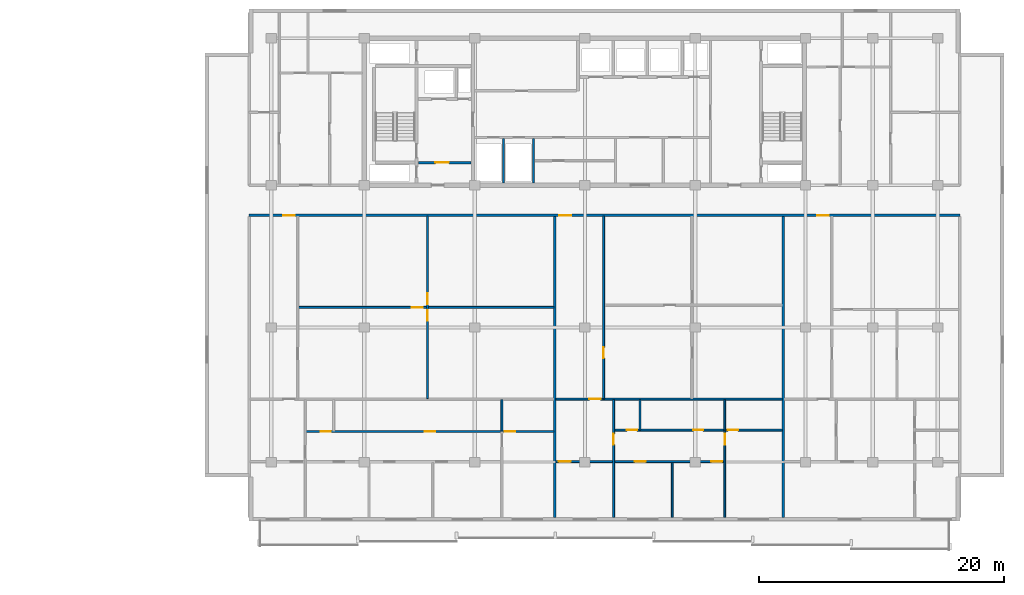
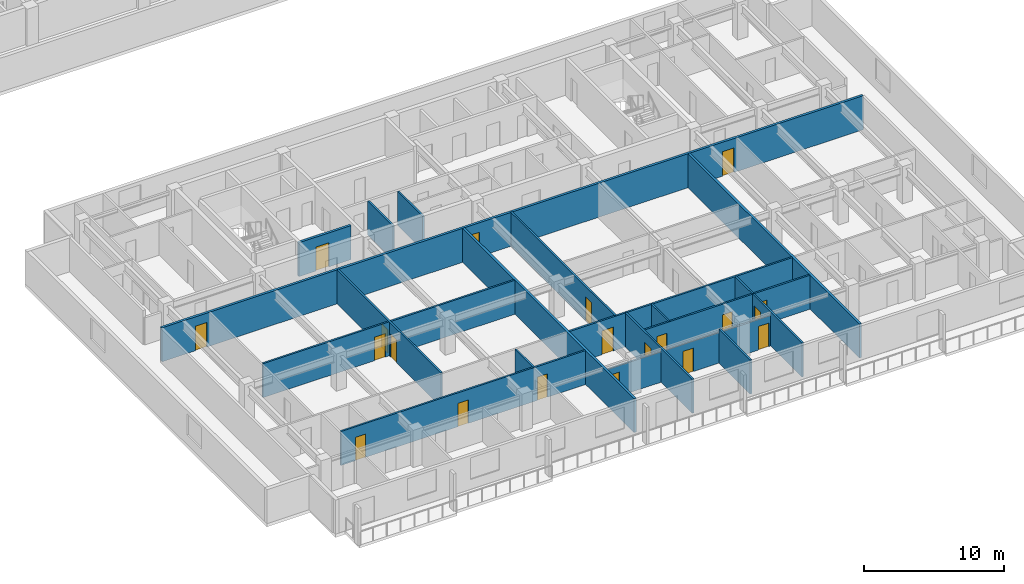
# One storey, part 5 of 22: 20 doors, 19 walls, 20 openings.
"""IFC4 building model written with IfcOpenShell, lengths in metres."""

from ifc_helpers import new_model, si_unit, direction, frame, frame_2d, origin, place, context, subcontext, project, spatial, rectangle, extrude, material, layer, layer_set, type_object, element, fill, save


model = new_model("IFC4")

# Units and contexts
model_context = context("Model", 3, precision=1e-05, world=origin(), true_north=direction((0.0, 1.0)))
body_context = subcontext(model_context, "Body", "Model", "MODEL_VIEW")
ifc_project = project(units=[si_unit("LENGTHUNIT", "METRE"), si_unit("AREAUNIT", "SQUARE_METRE"), si_unit("VOLUMEUNIT", "CUBIC_METRE"), si_unit("PLANEANGLEUNIT", "RADIAN"), si_unit("MASSUNIT", "GRAM", prefix="KILO")], contexts=[model_context])

# Site, building, storey
site_placement = place(None, origin())
site = spatial("IfcSite", under=ifc_project, at=site_placement, CompositionType="ELEMENT")
building_placement = place(site_placement, origin())
building = spatial("IfcBuilding", under=site, at=building_placement, Name="Korimba Cascade Residences", CompositionType="ELEMENT")
storey_placement = place(building_placement, frame((0.0, 0.0, 129.550048828125)))
storey = spatial("IfcBuildingStorey", under=building, at=storey_placement, Name="L37", CompositionType="ELEMENT", Elevation=129.550048828125)

# Walls
ifc_material_1 = material(Name="Precast concrete C40/50", Category="concrete")
ifc_layer_1 = layer(ifc_material_1, 0.199951171875)
ifc_layer_set_1 = layer_set([ifc_layer_1], Name="Precast concrete C40/50")
wall_type_1 = type_object("IfcWallType", Name="WAL-IT-200", PredefinedType="PARTITIONING", material=ifc_layer_set_1)
for number, where, z_axis, x_axis, name in (
    (1, (97.654541015625, -8.699951171875, 0.0), (0.0, 0.0, 1.0), (0.0, 1.0, 0.0), "L37 Partition Wall WAL-L37-T2-DEM-1"),
    (2, (116.286376953125, -8.699951171875, 0.0), (0.0, 0.0, 1.0), (0.0, 1.0, 0.0), "L37 Partition Wall WAL-L37-T2-DEM-2"),
):
    element("IfcWall", number, at=place(storey_placement, frame(where, z_axis=z_axis, x_axis=x_axis)), inside=storey, type_object=wall_type_1, Name=name, PredefinedType="PARTITIONING", context=body_context, shape_type="SweptSolid", body=[
        extrude(rectangle(XDim=24.570068359375, YDim=0.199951171875, at=frame_2d((12.28515625, 0.0))), origin(), (0.0, 0.0, 1.0), 2.969970703125),
    ])

# Wall, openings, doors
wall_1_placement = place(storey_placement, frame((72.699951171875, 15.949951171875, 0.0), z_axis=(0.0, 0.0, 1.0), x_axis=(1.0, 0.0, 0.0)))
wall_1 = element("IfcWall", 3, at=wall_1_placement, inside=storey, type_object=wall_type_1, Name="L37 Partition Wall WAL-L37-T2-CORS", PredefinedType="PARTITIONING", context=body_context, shape_type="SweptSolid", body=[
    extrude(rectangle(XDim=58.0, YDim=0.199951171875, at=frame_2d((29.0, 0.0))), origin(), (0.0, 0.0, 1.0), 2.969970703125),
])
opening_1_placement = place(wall_1_placement, frame((2.77001953125, 0.0, 0.0)))
opening_1 = element("IfcOpeningElement", 4, at=opening_1_placement, cuts=wall_1, Name="Opening D-UN1", PredefinedType="OPENING", context=body_context, shape_type="SweptSolid", body=[
    extrude(rectangle(XDim=0.949951171875, YDim=2.14990234375, at=frame_2d((0.47509765625, 1.074951171875))), frame((0.0, 0.10986328125, 0.0), z_axis=(0.0, -1.0, 0.0), x_axis=(1.0, 0.0, 0.0)), (0.0, 0.0, 1.0), 0.219970703125),
])
opening_2_placement = place(wall_1_placement, frame((25.324462890625, 0.0, 0.0)))
opening_2 = element("IfcOpeningElement", 5, at=opening_2_placement, cuts=wall_1, Name="Opening D-UN1", PredefinedType="OPENING", context=body_context, shape_type="SweptSolid", body=[
    extrude(rectangle(XDim=0.949951171875, YDim=2.14990234375, at=frame_2d((0.47509765625, 1.074951171875))), frame((0.0, 0.10986328125, 0.0), z_axis=(0.0, -1.0, 0.0), x_axis=(1.0, 0.0, 0.0)), (0.0, 0.0, 1.0), 0.219970703125),
])
opening_3_placement = place(wall_1_placement, frame((46.356201171875, 0.0, 0.0)))
opening_3 = element("IfcOpeningElement", 6, at=opening_3_placement, cuts=wall_1, Name="Opening D-UN1", PredefinedType="OPENING", context=body_context, shape_type="SweptSolid", body=[
    extrude(rectangle(XDim=0.949951171875, YDim=2.14990234375, at=frame_2d((0.47509765625, 1.074951171875))), frame((0.0, 0.10986328125, 0.0), z_axis=(0.0, -1.0, 0.0), x_axis=(1.0, 0.0, 0.0)), (0.0, 0.0, 1.0), 0.219970703125),
])
ifc_material_2 = material(Name="Fire-Rated Hardwood Apartment Entrance Door", Category="wood")
door_type_1 = type_object("IfcDoorType", Name="DR-FD60-950", OperationType="NOTDEFINED", PredefinedType="DOOR", material=ifc_material_2)
door_1_placement = place(opening_1_placement, origin())
door_1 = element("IfcDoor", 7, at=door_1_placement, inside=storey, type_object=door_type_1, Name="Unit L37-T2-U01 Entrance Door", OperationType="SINGLE_SWING_LEFT", OverallHeight=2.14990234375, OverallWidth=0.949951171875, PredefinedType="DOOR", context=body_context, shape_type="SweptSolid", body=[
    extrude(rectangle(XDim=0.949951171875, YDim=2.14990234375, at=frame_2d((0.47509765625, 1.074951171875))), frame((0.0, 0.02490234375, 0.0), z_axis=(0.0, -1.0, 0.0), x_axis=(1.0, 0.0, 0.0)), (0.0, 0.0, 1.0), 0.050048828125),
])
fill(opening_1, door_1)
door_2_placement = place(opening_2_placement, origin())
door_2 = element("IfcDoor", 8, at=door_2_placement, inside=storey, type_object=door_type_1, Name="Unit L37-T2-U02 Entrance Door", OperationType="SINGLE_SWING_RIGHT", OverallHeight=2.14990234375, OverallWidth=0.949951171875, PredefinedType="DOOR", context=body_context, shape_type="SweptSolid", body=[
    extrude(rectangle(XDim=0.949951171875, YDim=2.14990234375, at=frame_2d((0.47509765625, 1.074951171875))), frame((0.0, 0.02490234375, 0.0), z_axis=(0.0, -1.0, 0.0), x_axis=(1.0, 0.0, 0.0)), (0.0, 0.0, 1.0), 0.050048828125),
])
fill(opening_2, door_2)
door_3_placement = place(opening_3_placement, origin())
door_3 = element("IfcDoor", 9, at=door_3_placement, inside=storey, type_object=door_type_1, Name="Unit L37-T2-U03 Entrance Door", OperationType="SINGLE_SWING_LEFT", OverallHeight=2.14990234375, OverallWidth=0.949951171875, PredefinedType="DOOR", context=body_context, shape_type="SweptSolid", body=[
    extrude(rectangle(XDim=0.949951171875, YDim=2.14990234375, at=frame_2d((0.47509765625, 1.074951171875))), frame((0.0, 0.02490234375, 0.0), z_axis=(0.0, -1.0, 0.0), x_axis=(1.0, 0.0, 0.0)), (0.0, 0.0, 1.0), 0.050048828125),
])
fill(opening_3, door_3)

# Walls
ifc_material_3 = material(Name="Insulated Acoustic Stud Partition", Category="gypsum")
ifc_layer_2 = layer(ifc_material_3, 0.14990234375)
ifc_layer_set_2 = layer_set([ifc_layer_2], Name="Insulated Acoustic Stud Partition")
wall_type_2 = type_object("IfcWallType", Name="WAL-PART-150", PredefinedType="PARTITIONING", material=ifc_layer_set_2)
for number, where, z_axis, x_axis, name in (
    (10, (93.449951171875, 18.60009765625, 0.0), (0.0, 0.0, 1.0), (0.0, 1.0, 0.0), "L37 Partition Wall CW-L37-T2-ERDIV"),
    (11, (95.89990234375, 18.60009765625, 0.0), (0.0, 0.0, 1.0), (0.0, 1.0, 0.0), "L37 Partition Wall CW-L37-T2-PRDIV"),
):
    element("IfcWall", number, at=place(storey_placement, frame(where, z_axis=z_axis, x_axis=x_axis)), inside=storey, type_object=wall_type_2, Name=name, PredefinedType="PARTITIONING", context=body_context, shape_type="SweptSolid", body=[
        extrude(rectangle(XDim=3.599853515625, YDim=0.14990234375, at=frame_2d((1.7998046875, 0.0))), origin(), (0.0, 0.0, 1.0), 2.969970703125),
    ])

# Wall, openings, doors
wall_2_placement = place(storey_placement, frame((87.252197265625, 0.989990234375, 0.0), z_axis=(0.0, 0.0, 1.0), x_axis=(0.0, 1.0, 0.0)))
wall_2 = element("IfcWall", 12, at=wall_2_placement, inside=storey, type_object=wall_type_2, Name="L37 Partition Wall WAL-L37-T2-U01-FMV", PredefinedType="PARTITIONING", context=body_context, shape_type="SweptSolid", body=[
    extrude(rectangle(XDim=14.89990234375, YDim=0.14990234375, at=frame_2d((7.449951171875, 0.0))), origin(), (0.0, 0.0, 1.0), 2.969970703125),
])
opening_4_placement = place(wall_2_placement, frame((6.360107421875, 0.0, 0.0)))
opening_4 = element("IfcOpeningElement", 13, at=opening_4_placement, cuts=wall_2, Name="Opening D-BT1", PredefinedType="OPENING", context=body_context, shape_type="SweptSolid", body=[
    extrude(rectangle(XDim=0.840087890625, YDim=2.0400390625, at=frame_2d((0.419921875, 1.02001953125))), frame((0.0, 0.0849609375, 0.0), z_axis=(0.0, -1.0, 0.0), x_axis=(1.0, 0.0, 0.0)), (0.0, 0.0, 1.0), 0.169921875),
])
opening_5_placement = place(wall_2_placement, frame((7.699951171875, 0.0, 0.0)))
opening_5 = element("IfcOpeningElement", 14, at=opening_5_placement, cuts=wall_2, Name="Opening D-IN2", PredefinedType="OPENING", context=body_context, shape_type="SweptSolid", body=[
    extrude(rectangle(XDim=0.8798828125, YDim=2.06005859375, at=frame_2d((0.43994140625, 1.030029296875))), frame((0.0, 0.0849609375, 0.0), z_axis=(0.0, -1.0, 0.0), x_axis=(1.0, 0.0, 0.0)), (0.0, 0.0, 1.0), 0.169921875),
])
ifc_material_4 = material(Name="Moisture-Resistant Bathroom Timber Door", Category="wood")
door_type_2 = type_object("IfcDoorType", Name="DR-INT-850", OperationType="NOTDEFINED", PredefinedType="DOOR", material=ifc_material_4)
door_4_placement = place(opening_4_placement, origin())
door_4 = element("IfcDoor", 15, at=door_4_placement, inside=storey, type_object=door_type_2, Name="L37-T2-U01 Wardrobe Door", OperationType="SINGLE_SWING_LEFT", OverallHeight=2.0400390625, OverallWidth=0.840087890625, PredefinedType="DOOR", context=body_context, shape_type="SweptSolid", body=[
    extrude(rectangle(XDim=0.840087890625, YDim=2.0400390625, at=frame_2d((0.419921875, 1.02001953125))), frame((0.0, 0.02490234375, 0.0), z_axis=(0.0, -1.0, 0.0), x_axis=(1.0, 0.0, 0.0)), (0.0, 0.0, 1.0), 0.050048828125),
])
fill(opening_4, door_4)
ifc_material_5 = material(Name="Acoustic Timber Bedroom Door", Category="wood")
door_type_3 = type_object("IfcDoorType", Name="DR-INT-880", OperationType="NOTDEFINED", PredefinedType="DOOR", material=ifc_material_5)
door_5_placement = place(opening_5_placement, origin())
door_5 = element("IfcDoor", 16, at=door_5_placement, inside=storey, type_object=door_type_3, Name="L37-T2-U01 Music Lounge Door", OperationType="SINGLE_SWING_RIGHT", OverallHeight=2.06005859375, OverallWidth=0.8798828125, PredefinedType="DOOR", context=body_context, shape_type="SweptSolid", body=[
    extrude(rectangle(XDim=0.8798828125, YDim=2.06005859375, at=frame_2d((0.43994140625, 1.030029296875))), frame((0.0, 0.02490234375, 0.0), z_axis=(0.0, -1.0, 0.0), x_axis=(1.0, 0.0, 0.0)), (0.0, 0.0, 1.0), 0.050048828125),
])
fill(opening_5, door_5)

# Wall, opening, door
wall_3_placement = place(storey_placement, frame((76.72998046875, 8.43994140625, 0.0), z_axis=(0.0, 0.0, 1.0), x_axis=(1.0, 0.0, 0.0)))
wall_3 = element("IfcWall", 17, at=wall_3_placement, inside=storey, type_object=wall_type_2, Name="L37 Partition Wall WAL-L37-T2-U01-FMH", PredefinedType="PARTITIONING", context=body_context, shape_type="SweptSolid", body=[
    extrude(rectangle(XDim=20.844482421875, YDim=0.14990234375, at=frame_2d((10.42236328125, 0.0))), origin(), (0.0, 0.0, 1.0), 2.969970703125),
])
opening_6_placement = place(wall_3_placement, frame((9.24072265625, 0.0, 0.0)))
opening_6 = element("IfcOpeningElement", 18, at=opening_6_placement, cuts=wall_3, Name="Opening D-IN2", PredefinedType="OPENING", context=body_context, shape_type="SweptSolid", body=[
    extrude(rectangle(XDim=0.8798828125, YDim=2.06005859375, at=frame_2d((0.43994140625, 1.030029296875))), frame((0.0, 0.0849609375, 0.0), z_axis=(0.0, -1.0, 0.0), x_axis=(1.0, 0.0, 0.0)), (0.0, 0.0, 1.0), 0.169921875),
])
door_6_placement = place(opening_6_placement, origin())
door_6 = element("IfcDoor", 19, at=door_6_placement, inside=storey, type_object=door_type_3, Name="L37-T2-U01 Library Salon Door", OperationType="SINGLE_SWING_LEFT", OverallHeight=2.06005859375, OverallWidth=0.8798828125, PredefinedType="DOOR", context=body_context, shape_type="SweptSolid", body=[
    extrude(rectangle(XDim=0.8798828125, YDim=2.06005859375, at=frame_2d((0.43994140625, 1.030029296875))), frame((0.0, 0.02490234375, 0.0), z_axis=(0.0, -1.0, 0.0), x_axis=(1.0, 0.0, 0.0)), (0.0, 0.0, 1.0), 0.050048828125),
])
fill(opening_6, door_6)

# Wall
wall_4_placement = place(storey_placement, frame((93.324462890625, -1.669921875, 0.0), z_axis=(0.0, 0.0, 1.0), x_axis=(0.0, 1.0, 0.0)))
element("IfcWall", 20, at=wall_4_placement, inside=storey, type_object=wall_type_2, Name="L37 Partition Wall WAL-L37-T2-U01-VBATH", PredefinedType="PARTITIONING", context=body_context, shape_type="SweptSolid", body=[
    extrude(rectangle(XDim=2.579833984375, YDim=0.14990234375, at=frame_2d((1.2900390625, 0.0))), origin(), (0.0, 0.0, 1.0), 2.969970703125),
])

# Wall, openings, doors
wall_5_placement = place(storey_placement, frame((77.320068359375, -1.68994140625, 0.0), z_axis=(0.0, 0.0, 1.0), x_axis=(1.0, 0.0, 0.0)))
wall_5 = element("IfcWall", 21, at=wall_5_placement, inside=storey, type_object=wall_type_2, Name="L37 Partition Wall WAL-L37-T2-U01-HWALL", PredefinedType="PARTITIONING", context=body_context, shape_type="SweptSolid", body=[
    extrude(rectangle(XDim=20.25439453125, YDim=0.14990234375, at=frame_2d((10.127197265625, 0.0))), origin(), (0.0, 0.0, 1.0), 2.969970703125),
])
opening_7_placement = place(wall_5_placement, frame((1.2099609375, 0.0, 0.0)))
opening_7 = element("IfcOpeningElement", 22, at=opening_7_placement, cuts=wall_5, Name="Opening D-BT1", PredefinedType="OPENING", context=body_context, shape_type="SweptSolid", body=[
    extrude(rectangle(XDim=0.840087890625, YDim=2.0400390625, at=frame_2d((0.419921875, 1.02001953125))), frame((0.0, 0.0849609375, 0.0), z_axis=(0.0, -1.0, 0.0), x_axis=(1.0, 0.0, 0.0)), (0.0, 0.0, 1.0), 0.169921875),
])
opening_8_placement = place(wall_5_placement, frame((9.707275390625, 0.0, 0.0)))
opening_8 = element("IfcOpeningElement", 23, at=opening_8_placement, cuts=wall_5, Name="Opening D-BT1", PredefinedType="OPENING", context=body_context, shape_type="SweptSolid", body=[
    extrude(rectangle(XDim=0.840087890625, YDim=2.0400390625, at=frame_2d((0.419921875, 1.02001953125))), frame((0.0, 0.0849609375, 0.0), z_axis=(0.0, -1.0, 0.0), x_axis=(1.0, 0.0, 0.0)), (0.0, 0.0, 1.0), 0.169921875),
])
opening_9_placement = place(wall_5_placement, frame((16.25439453125, 0.0, 0.0)))
opening_9 = element("IfcOpeningElement", 24, at=opening_9_placement, cuts=wall_5, Name="Opening D-BT1", PredefinedType="OPENING", context=body_context, shape_type="SweptSolid", body=[
    extrude(rectangle(XDim=0.840087890625, YDim=2.0400390625, at=frame_2d((0.419921875, 1.02001953125))), frame((0.0, 0.0849609375, 0.0), z_axis=(0.0, -1.0, 0.0), x_axis=(1.0, 0.0, 0.0)), (0.0, 0.0, 1.0), 0.169921875),
])
door_7_placement = place(opening_7_placement, origin())
door_7 = element("IfcDoor", 25, at=door_7_placement, inside=storey, type_object=door_type_2, Name="L37-T2-U01 Family Bathroom Door", OperationType="SINGLE_SWING_LEFT", OverallHeight=2.0400390625, OverallWidth=0.840087890625, PredefinedType="DOOR", context=body_context, shape_type="SweptSolid", body=[
    extrude(rectangle(XDim=0.840087890625, YDim=2.0400390625, at=frame_2d((0.419921875, 1.02001953125))), frame((0.0, 0.02490234375, 0.0), z_axis=(0.0, -1.0, 0.0), x_axis=(1.0, 0.0, 0.0)), (0.0, 0.0, 1.0), 0.050048828125),
])
fill(opening_7, door_7)
door_8_placement = place(opening_8_placement, origin())
door_8 = element("IfcDoor", 26, at=door_8_placement, inside=storey, type_object=door_type_2, Name="L37-T2-U01 Dressing Room Door", OperationType="SINGLE_SWING_RIGHT", OverallHeight=2.0400390625, OverallWidth=0.840087890625, PredefinedType="DOOR", context=body_context, shape_type="SweptSolid", body=[
    extrude(rectangle(XDim=0.840087890625, YDim=2.0400390625, at=frame_2d((0.419921875, 1.02001953125))), frame((0.0, 0.02490234375, 0.0), z_axis=(0.0, -1.0, 0.0), x_axis=(1.0, 0.0, 0.0)), (0.0, 0.0, 1.0), 0.050048828125),
])
fill(opening_8, door_8)
door_9_placement = place(opening_9_placement, origin())
door_9 = element("IfcDoor", 27, at=door_9_placement, inside=storey, type_object=door_type_2, Name="L37-T2-U01 En-Suite Door", OperationType="SINGLE_SWING_LEFT", OverallHeight=2.0400390625, OverallWidth=0.840087890625, PredefinedType="DOOR", context=body_context, shape_type="SweptSolid", body=[
    extrude(rectangle(XDim=0.840087890625, YDim=2.0400390625, at=frame_2d((0.419921875, 1.02001953125))), frame((0.0, 0.02490234375, 0.0), z_axis=(0.0, -1.0, 0.0), x_axis=(1.0, 0.0, 0.0)), (0.0, 0.0, 1.0), 0.050048828125),
])
fill(opening_9, door_9)

# Wall, opening, door
wall_6_placement = place(storey_placement, frame((101.62451171875, 0.989990234375, 0.0), z_axis=(0.0, 0.0, 1.0), x_axis=(0.0, 1.0, 0.0)))
wall_6 = element("IfcWall", 28, at=wall_6_placement, inside=storey, type_object=wall_type_2, Name="L37 Partition Wall WAL-L37-T2-U02-FV", PredefinedType="PARTITIONING", context=body_context, shape_type="SweptSolid", body=[
    extrude(rectangle(XDim=14.89990234375, YDim=0.14990234375, at=frame_2d((7.449951171875, 0.0))), origin(), (0.0, 0.0, 1.0), 2.969970703125),
])
opening_10_placement = place(wall_6_placement, frame((3.302001953125, 0.0, 0.0)))
opening_10 = element("IfcOpeningElement", 29, at=opening_10_placement, cuts=wall_6, Name="Opening D-IN2", PredefinedType="OPENING", context=body_context, shape_type="SweptSolid", body=[
    extrude(rectangle(XDim=0.8798828125, YDim=2.06005859375, at=frame_2d((0.43994140625, 1.030029296875))), frame((0.0, 0.0849609375, 0.0), z_axis=(0.0, -1.0, 0.0), x_axis=(1.0, 0.0, 0.0)), (0.0, 0.0, 1.0), 0.169921875),
])
door_10_placement = place(opening_10_placement, origin())
door_10 = element("IfcDoor", 30, at=door_10_placement, inside=storey, type_object=door_type_3, Name="L37-T2-U02 Media Lounge Door", OperationType="SINGLE_SWING_RIGHT", OverallHeight=2.06005859375, OverallWidth=0.8798828125, PredefinedType="DOOR", context=body_context, shape_type="SweptSolid", body=[
    extrude(rectangle(XDim=0.8798828125, YDim=2.06005859375, at=frame_2d((0.43994140625, 1.030029296875))), frame((0.0, 0.02490234375, 0.0), z_axis=(0.0, -1.0, 0.0), x_axis=(1.0, 0.0, 0.0)), (0.0, 0.0, 1.0), 0.050048828125),
])
fill(opening_10, door_10)

# Walls
wall_7_placement = place(storey_placement, frame((104.594482421875, -1.56005859375, 0.0), z_axis=(0.0, 0.0, 1.0), x_axis=(0.0, 1.0, 0.0)))
element("IfcWall", 31, at=wall_7_placement, inside=storey, type_object=wall_type_2, Name="L37 Partition Wall WAL-L37-T2-U02-VDRS", PredefinedType="PARTITIONING", context=body_context, shape_type="SweptSolid", body=[
    extrude(rectangle(XDim=2.469970703125, YDim=0.14990234375, at=frame_2d((1.23486328125, 0.0))), origin(), (0.0, 0.0, 1.0), 2.969970703125),
])
wall_8_placement = place(storey_placement, frame((107.23046875, -8.699951171875, 0.0), z_axis=(0.0, 0.0, 1.0), x_axis=(0.0, 1.0, 0.0)))
element("IfcWall", 32, at=wall_8_placement, inside=storey, type_object=wall_type_2, Name="L37 Partition Wall WAL-L37-T2-U02-VSTD", PredefinedType="PARTITIONING", context=body_context, shape_type="SweptSolid", body=[
    extrude(rectangle(XDim=4.469970703125, YDim=0.14990234375, at=frame_2d((2.23486328125, 0.0))), origin(), (0.0, 0.0, 1.0), 2.969970703125),
])

# Wall, opening, door
wall_9_placement = place(storey_placement, frame((102.444580078125, -8.699951171875, 0.0), z_axis=(0.0, 0.0, 1.0), x_axis=(0.0, 1.0, 0.0)))
wall_9 = element("IfcWall", 33, at=wall_9_placement, inside=storey, type_object=wall_type_2, Name="L37 Partition Wall WAL-L37-T2-U02-V1", PredefinedType="PARTITIONING", context=body_context, shape_type="SweptSolid", body=[
    extrude(rectangle(XDim=9.60986328125, YDim=0.14990234375, at=frame_2d((4.804931640625, 0.0))), origin(), (0.0, 0.0, 1.0), 2.969970703125),
])
opening_11_placement = place(wall_9_placement, frame((5.919921875, 0.0, 0.0)))
opening_11 = element("IfcOpeningElement", 34, at=opening_11_placement, cuts=wall_9, Name="Opening D-IN1", PredefinedType="OPENING", context=body_context, shape_type="SweptSolid", body=[
    extrude(rectangle(XDim=0.919921875, YDim=2.080078125, at=frame_2d((0.4599609375, 1.0400390625))), frame((0.0, 0.0849609375, 0.0), z_axis=(0.0, -1.0, 0.0), x_axis=(1.0, 0.0, 0.0)), (0.0, 0.0, 1.0), 0.169921875),
])
ifc_material_6 = material(Name="Acoustic Timber Living Door", Category="wood")
door_type_4 = type_object("IfcDoorType", Name="DR-INT-920", OperationType="NOTDEFINED", PredefinedType="DOOR", material=ifc_material_6)
door_11_placement = place(opening_11_placement, origin())
door_11 = element("IfcDoor", 35, at=door_11_placement, inside=storey, type_object=door_type_4, Name="L37-T2-U02 Hallway Door", OperationType="SINGLE_SWING_LEFT", OverallHeight=2.080078125, OverallWidth=0.919921875, PredefinedType="DOOR", context=body_context, shape_type="SweptSolid", body=[
    extrude(rectangle(XDim=0.919921875, YDim=2.080078125, at=frame_2d((0.4599609375, 1.0400390625))), frame((0.0, 0.02490234375, 0.0), z_axis=(0.0, -1.0, 0.0), x_axis=(1.0, 0.0, 0.0)), (0.0, 0.0, 1.0), 0.050048828125),
])
fill(opening_11, door_11)

# Wall
wall_10_placement = place(storey_placement, frame((111.516357421875, -1.56005859375, 0.0), z_axis=(0.0, 0.0, 1.0), x_axis=(0.0, 1.0, 0.0)))
element("IfcWall", 36, at=wall_10_placement, inside=storey, type_object=wall_type_2, Name="L37 Partition Wall WAL-L37-T2-U02-VBATH", PredefinedType="PARTITIONING", context=body_context, shape_type="SweptSolid", body=[
    extrude(rectangle(XDim=2.469970703125, YDim=0.14990234375, at=frame_2d((1.23486328125, 0.0))), origin(), (0.0, 0.0, 1.0), 2.969970703125),
])

# Wall, opening, door
wall_11_placement = place(storey_placement, frame((111.516357421875, -8.699951171875, 0.0), z_axis=(0.0, 0.0, 1.0), x_axis=(0.0, 1.0, 0.0)))
wall_11 = element("IfcWall", 37, at=wall_11_placement, inside=storey, type_object=wall_type_2, Name="L37 Partition Wall WAL-L37-T2-U02-V2FULL", PredefinedType="PARTITIONING", context=body_context, shape_type="SweptSolid", body=[
    extrude(rectangle(XDim=7.099853515625, YDim=0.14990234375, at=frame_2d((3.5498046875, 0.0))), origin(), (0.0, 0.0, 1.0), 2.969970703125),
])
opening_12_placement = place(wall_11_placement, frame((5.919921875, 0.0, 0.0)))
opening_12 = element("IfcOpeningElement", 38, at=opening_12_placement, cuts=wall_11, Name="Opening D-IN1", PredefinedType="OPENING", context=body_context, shape_type="SweptSolid", body=[
    extrude(rectangle(XDim=0.919921875, YDim=2.080078125, at=frame_2d((0.4599609375, 1.0400390625))), frame((0.0, 0.0849609375, 0.0), z_axis=(0.0, -1.0, 0.0), x_axis=(1.0, 0.0, 0.0)), (0.0, 0.0, 1.0), 0.169921875),
])
door_12_placement = place(opening_12_placement, origin())
door_12 = element("IfcDoor", 39, at=door_12_placement, inside=storey, type_object=door_type_4, Name="L37-T2-U02 Master Bedroom Door", OperationType="SINGLE_SWING_RIGHT", OverallHeight=2.080078125, OverallWidth=0.919921875, PredefinedType="DOOR", context=body_context, shape_type="SweptSolid", body=[
    extrude(rectangle(XDim=0.919921875, YDim=2.080078125, at=frame_2d((0.4599609375, 1.0400390625))), frame((0.0, 0.02490234375, 0.0), z_axis=(0.0, -1.0, 0.0), x_axis=(1.0, 0.0, 0.0)), (0.0, 0.0, 1.0), 0.050048828125),
])
fill(opening_12, door_12)

# Wall, openings, doors
wall_12_placement = place(storey_placement, frame((102.484619140625, -1.580078125, 0.0), z_axis=(0.0, 0.0, 1.0), x_axis=(1.0, 0.0, 0.0)))
wall_12 = element("IfcWall", 40, at=wall_12_placement, inside=storey, type_object=wall_type_2, Name="L37 Partition Wall WAL-L37-T2-U02-HWALL", PredefinedType="PARTITIONING", context=body_context, shape_type="SweptSolid", body=[
    extrude(rectangle(XDim=13.7216796875, YDim=0.14990234375, at=frame_2d((6.86083984375, 0.0))), origin(), (0.0, 0.0, 1.0), 2.969970703125),
])
opening_13_placement = place(wall_12_placement, frame((1.033935546875, 0.0, 0.0)))
opening_13 = element("IfcOpeningElement", 41, at=opening_13_placement, cuts=wall_12, Name="Opening D-BT1", PredefinedType="OPENING", context=body_context, shape_type="SweptSolid", body=[
    extrude(rectangle(XDim=0.840087890625, YDim=2.0400390625, at=frame_2d((0.419921875, 1.02001953125))), frame((0.0, 0.0849609375, 0.0), z_axis=(0.0, -1.0, 0.0), x_axis=(1.0, 0.0, 0.0)), (0.0, 0.0, 1.0), 0.169921875),
])
opening_14_placement = place(wall_12_placement, frame((6.44091796875, 0.0, 0.0)))
opening_14 = element("IfcOpeningElement", 42, at=opening_14_placement, cuts=wall_12, Name="Opening D-BT1", PredefinedType="OPENING", context=body_context, shape_type="SweptSolid", body=[
    extrude(rectangle(XDim=0.840087890625, YDim=2.0400390625, at=frame_2d((0.419921875, 1.02001953125))), frame((0.0, 0.0849609375, 0.0), z_axis=(0.0, -1.0, 0.0), x_axis=(1.0, 0.0, 0.0)), (0.0, 0.0, 1.0), 0.169921875),
])
opening_15_placement = place(wall_12_placement, frame((9.28173828125, 0.0, 0.0)))
opening_15 = element("IfcOpeningElement", 43, at=opening_15_placement, cuts=wall_12, Name="Opening D-BT1", PredefinedType="OPENING", context=body_context, shape_type="SweptSolid", body=[
    extrude(rectangle(XDim=0.840087890625, YDim=2.0400390625, at=frame_2d((0.419921875, 1.02001953125))), frame((0.0, 0.0849609375, 0.0), z_axis=(0.0, -1.0, 0.0), x_axis=(1.0, 0.0, 0.0)), (0.0, 0.0, 1.0), 0.169921875),
])
door_13_placement = place(opening_13_placement, origin())
door_13 = element("IfcDoor", 44, at=door_13_placement, inside=storey, type_object=door_type_2, Name="L37-T2-U02 Family Bathroom Door", OperationType="SINGLE_SWING_LEFT", OverallHeight=2.0400390625, OverallWidth=0.840087890625, PredefinedType="DOOR", context=body_context, shape_type="SweptSolid", body=[
    extrude(rectangle(XDim=0.840087890625, YDim=2.0400390625, at=frame_2d((0.419921875, 1.02001953125))), frame((0.0, 0.02490234375, 0.0), z_axis=(0.0, -1.0, 0.0), x_axis=(1.0, 0.0, 0.0)), (0.0, 0.0, 1.0), 0.050048828125),
])
fill(opening_13, door_13)
door_14_placement = place(opening_14_placement, origin())
door_14 = element("IfcDoor", 45, at=door_14_placement, inside=storey, type_object=door_type_2, Name="L37-T2-U02 Dressing Room Door", OperationType="SINGLE_SWING_RIGHT", OverallHeight=2.0400390625, OverallWidth=0.840087890625, PredefinedType="DOOR", context=body_context, shape_type="SweptSolid", body=[
    extrude(rectangle(XDim=0.840087890625, YDim=2.0400390625, at=frame_2d((0.419921875, 1.02001953125))), frame((0.0, 0.02490234375, 0.0), z_axis=(0.0, -1.0, 0.0), x_axis=(1.0, 0.0, 0.0)), (0.0, 0.0, 1.0), 0.050048828125),
])
fill(opening_14, door_14)
door_15_placement = place(opening_15_placement, origin())
door_15 = element("IfcDoor", 46, at=door_15_placement, inside=storey, type_object=door_type_2, Name="L37-T2-U02 En-Suite Door", OperationType="SINGLE_SWING_LEFT", OverallHeight=2.0400390625, OverallWidth=0.840087890625, PredefinedType="DOOR", context=body_context, shape_type="SweptSolid", body=[
    extrude(rectangle(XDim=0.840087890625, YDim=2.0400390625, at=frame_2d((0.419921875, 1.02001953125))), frame((0.0, 0.02490234375, 0.0), z_axis=(0.0, -1.0, 0.0), x_axis=(1.0, 0.0, 0.0)), (0.0, 0.0, 1.0), 0.050048828125),
])
fill(opening_15, door_15)

# Wall, opening, door
wall_13_placement = place(storey_placement, frame((97.734619140625, 0.949951171875, 0.0), z_axis=(0.0, 0.0, 1.0), x_axis=(1.0, 0.0, 0.0)))
wall_13 = element("IfcWall", 47, at=wall_13_placement, inside=storey, type_object=wall_type_2, Name="L37 Partition Wall WAL-L37-T2-U02-MW", PredefinedType="PARTITIONING", context=body_context, shape_type="SweptSolid", body=[
    extrude(rectangle(XDim=18.4716796875, YDim=0.14990234375, at=frame_2d((9.23583984375, 0.0))), origin(), (0.0, 0.0, 1.0), 2.969970703125),
])
opening_16_placement = place(wall_13_placement, frame((2.719970703125, 0.0, 0.0)))
opening_16 = element("IfcOpeningElement", 48, at=opening_16_placement, cuts=wall_13, Name="Opening D-IN1", PredefinedType="OPENING", context=body_context, shape_type="SweptSolid", body=[
    extrude(rectangle(XDim=0.919921875, YDim=2.080078125, at=frame_2d((0.4599609375, 1.0400390625))), frame((0.0, 0.0849609375, 0.0), z_axis=(0.0, -1.0, 0.0), x_axis=(1.0, 0.0, 0.0)), (0.0, 0.0, 1.0), 0.169921875),
])
door_16_placement = place(opening_16_placement, origin())
door_16 = element("IfcDoor", 49, at=door_16_placement, inside=storey, type_object=door_type_4, Name="L37-T2-U02 Kitchen Door", OperationType="SINGLE_SWING_RIGHT", OverallHeight=2.080078125, OverallWidth=0.919921875, PredefinedType="DOOR", context=body_context, shape_type="SweptSolid", body=[
    extrude(rectangle(XDim=0.919921875, YDim=2.080078125, at=frame_2d((0.4599609375, 1.0400390625))), frame((0.0, 0.02490234375, 0.0), z_axis=(0.0, -1.0, 0.0), x_axis=(1.0, 0.0, 0.0)), (0.0, 0.0, 1.0), 0.050048828125),
])
fill(opening_16, door_16)

# Wall, openings, doors
wall_14_placement = place(storey_placement, frame((97.734619140625, -4.14990234375, 0.0), z_axis=(0.0, 0.0, 1.0), x_axis=(1.0, 0.0, 0.0)))
wall_14 = element("IfcWall", 50, at=wall_14_placement, inside=storey, type_object=wall_type_2, Name="L37 Partition Wall WAL-L37-T2-U02-HZ", PredefinedType="PARTITIONING", context=body_context, shape_type="SweptSolid", body=[
    extrude(rectangle(XDim=13.78173828125, YDim=0.14990234375, at=frame_2d((6.890869140625, 0.0))), origin(), (0.0, 0.0, 1.0), 2.663330078125),
])
opening_17_placement = place(wall_14_placement, frame((0.25, 0.0, 0.0)))
opening_17 = element("IfcOpeningElement", 51, at=opening_17_placement, cuts=wall_14, Name="Opening D-IN0", PredefinedType="OPENING", context=body_context, shape_type="SweptSolid", body=[
    extrude(rectangle(XDim=0.93994140625, YDim=2.10009765625, at=frame_2d((0.469970703125, 1.050048828125))), frame((0.0, 0.0849609375, 0.0), z_axis=(0.0, -1.0, 0.0), x_axis=(1.0, 0.0, 0.0)), (0.0, 0.0, 1.0), 0.169921875),
])
opening_18_placement = place(wall_14_placement, frame((6.450927734375, 0.0, 0.0)))
opening_18 = element("IfcOpeningElement", 52, at=opening_18_placement, cuts=wall_14, Name="Opening D-IN2", PredefinedType="OPENING", context=body_context, shape_type="SweptSolid", body=[
    extrude(rectangle(XDim=0.8798828125, YDim=2.06005859375, at=frame_2d((0.43994140625, 1.030029296875))), frame((0.0, 0.0849609375, 0.0), z_axis=(0.0, -1.0, 0.0), x_axis=(1.0, 0.0, 0.0)), (0.0, 0.0, 1.0), 0.169921875),
])
opening_19_placement = place(wall_14_placement, frame((12.681884765625, 0.0, 0.0)))
opening_19 = element("IfcOpeningElement", 53, at=opening_19_placement, cuts=wall_14, Name="Opening D-IN2", PredefinedType="OPENING", context=body_context, shape_type="SweptSolid", body=[
    extrude(rectangle(XDim=0.8798828125, YDim=2.06005859375, at=frame_2d((0.43994140625, 1.030029296875))), frame((0.0, 0.0849609375, 0.0), z_axis=(0.0, -1.0, 0.0), x_axis=(1.0, 0.0, 0.0)), (0.0, 0.0, 1.0), 0.169921875),
])
door_17_placement = place(opening_18_placement, origin())
door_17 = element("IfcDoor", 54, at=door_17_placement, inside=storey, type_object=door_type_3, Name="L37-T2-U02 Bedroom 2 Door", OperationType="SINGLE_SWING_RIGHT", OverallHeight=2.06005859375, OverallWidth=0.8798828125, PredefinedType="DOOR", context=body_context, shape_type="SweptSolid", body=[
    extrude(rectangle(XDim=0.8798828125, YDim=2.06005859375, at=frame_2d((0.43994140625, 1.030029296875))), frame((0.0, 0.02490234375, 0.0), z_axis=(0.0, -1.0, 0.0), x_axis=(1.0, 0.0, 0.0)), (0.0, 0.0, 1.0), 0.050048828125),
])
fill(opening_18, door_17)
door_18_placement = place(opening_19_placement, origin())
door_18 = element("IfcDoor", 55, at=door_18_placement, inside=storey, type_object=door_type_3, Name="L37-T2-U02 Study Door", OperationType="SINGLE_SWING_LEFT", OverallHeight=2.06005859375, OverallWidth=0.8798828125, PredefinedType="DOOR", context=body_context, shape_type="SweptSolid", body=[
    extrude(rectangle(XDim=0.8798828125, YDim=2.06005859375, at=frame_2d((0.43994140625, 1.030029296875))), frame((0.0, 0.02490234375, 0.0), z_axis=(0.0, -1.0, 0.0), x_axis=(1.0, 0.0, 0.0)), (0.0, 0.0, 1.0), 0.050048828125),
])
fill(opening_19, door_18)
ifc_material_7 = material(Name="Acoustic Timber Living Archway Door", Category="wood")
door_type_5 = type_object("IfcDoorType", Name="DR-INT-950", OperationType="NOTDEFINED", PredefinedType="DOOR", material=ifc_material_7)
door_19_placement = place(opening_17_placement, origin())
door_19 = element("IfcDoor", 56, at=door_19_placement, inside=storey, type_object=door_type_5, Name="L37-T2-U02 Living Room Door", OperationType="SINGLE_SWING_LEFT", OverallHeight=2.10009765625, OverallWidth=0.93994140625, PredefinedType="DOOR", context=body_context, shape_type="SweptSolid", body=[
    extrude(rectangle(XDim=0.93994140625, YDim=2.10009765625, at=frame_2d((0.469970703125, 1.050048828125))), frame((0.0, 0.02490234375, 0.0), z_axis=(0.0, -1.0, 0.0), x_axis=(1.0, 0.0, 0.0)), (0.0, 0.0, 1.0), 0.050048828125),
])
fill(opening_17, door_19)

# Wall, opening, door
ifc_material_8 = material(Name="Concrete C40/50", Category="concrete")
ifc_layer_3 = layer(ifc_material_8, 0.199951171875)
ifc_layer_set_3 = layer_set([ifc_layer_3], Name="Concrete C40/50")
wall_type_3 = type_object("IfcWallType", Name="WAL-PART-200", PredefinedType="PARTITIONING", material=ifc_layer_set_3)
wall_15_placement = place(storey_placement, frame((86.5, 20.25, 0.0), z_axis=(0.0, 0.0, 1.0), x_axis=(1.0, 0.0, 0.0)))
wall_15 = element("IfcWall", 57, at=wall_15_placement, inside=storey, type_object=wall_type_3, Name="L37 Partition Wall CW-L37-T2-FFLS", PredefinedType="PARTITIONING", context=body_context, shape_type="SweptSolid", body=[
    extrude(rectangle(XDim=4.320068359375, YDim=0.199951171875, at=frame_2d((2.16015625, 0.0))), origin(), (0.0, 0.0, 1.0), 2.969970703125),
])
opening_20_placement = place(wall_15_placement, frame((1.39990234375, 0.0, 0.0)))
opening_20 = element("IfcOpeningElement", 58, at=opening_20_placement, cuts=wall_15, Name="Opening D-FD1", PredefinedType="OPENING", context=body_context, shape_type="SweptSolid", body=[
    extrude(rectangle(XDim=1.10009765625, YDim=2.10009765625, at=frame_2d((0.550048828125, 1.050048828125))), frame((0.0, 0.10986328125, 0.0), z_axis=(0.0, -1.0, 0.0), x_axis=(1.0, 0.0, 0.0)), (0.0, 0.0, 1.0), 0.219970703125),
])
ifc_material_9 = material(Name="Fire-Rated Steel Core Door", Category="steel")
door_type_6 = type_object("IfcDoorType", Name="DR-FD120-1100", OperationType="NOTDEFINED", PredefinedType="DOOR", material=ifc_material_9)
door_20_placement = place(opening_20_placement, origin())
door_20 = element("IfcDoor", 59, at=door_20_placement, inside=storey, type_object=door_type_6, Name="L37 T2 Firefighting Lobby Door", OperationType="SINGLE_SWING_RIGHT", OverallHeight=2.10009765625, OverallWidth=1.10009765625, PredefinedType="DOOR", context=body_context, shape_type="SweptSolid", body=[
    extrude(rectangle(XDim=1.10009765625, YDim=2.10009765625, at=frame_2d((0.550048828125, 1.050048828125))), frame((0.0, 0.02490234375, 0.0), z_axis=(0.0, -1.0, 0.0), x_axis=(1.0, 0.0, 0.0)), (0.0, 0.0, 1.0), 0.050048828125),
])
fill(opening_20, door_20)

save(model, "model.ifc")
